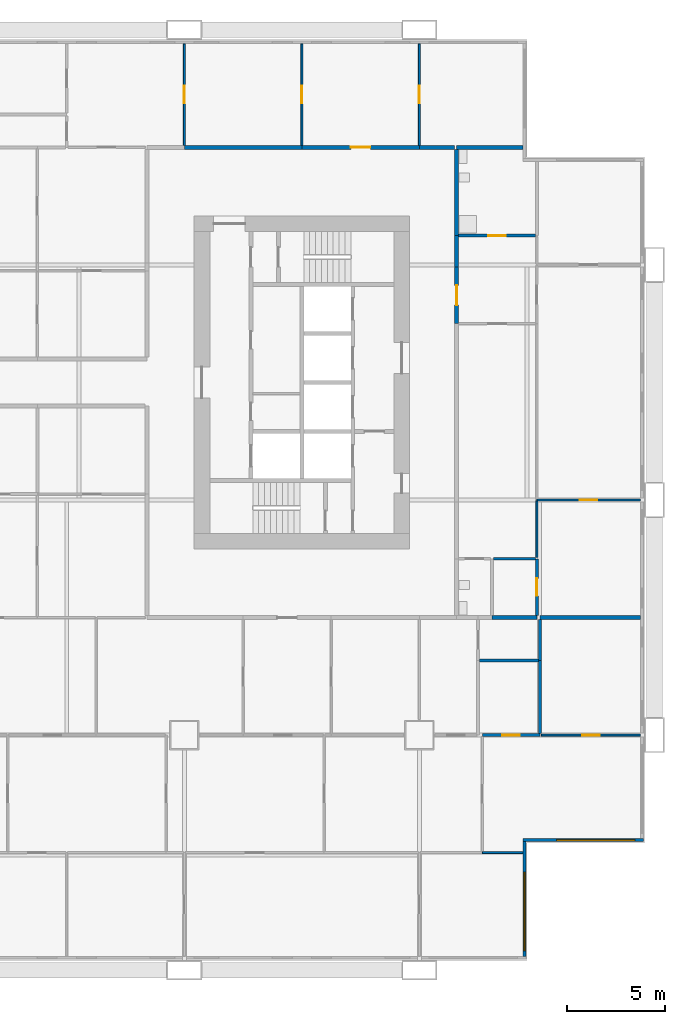
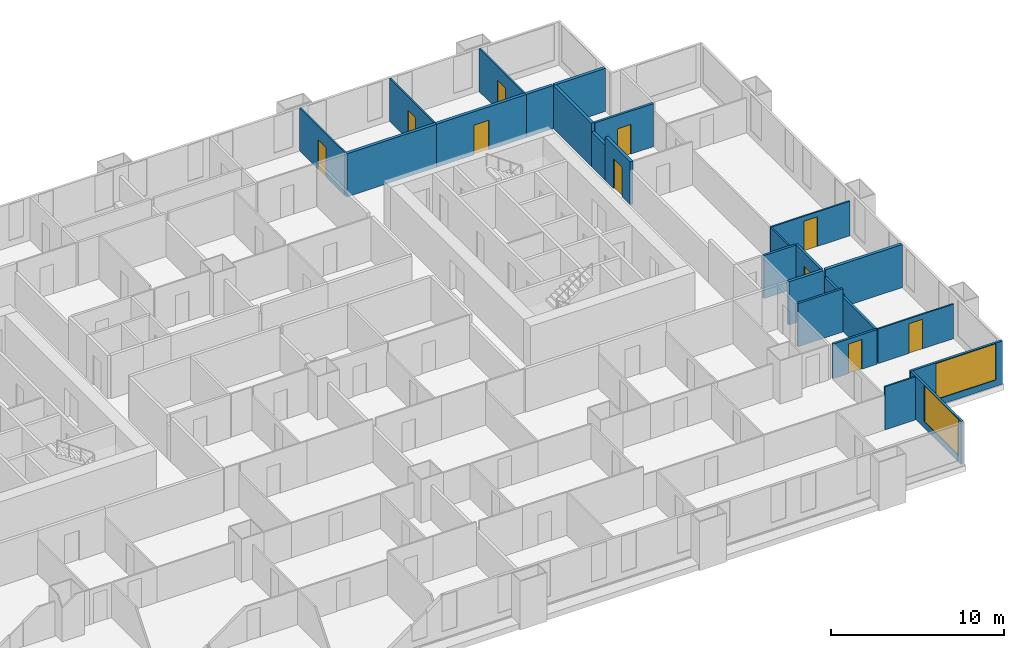
# One storey, part 11 of 14: 25 walls, 10 doors, 2 windows, 12 openings.
"""IFC4 building model written with IfcOpenShell, lengths in metres."""

from ifc_helpers import new_model, si_unit, direction, frame, frame_2d, origin, place, context, subcontext, project, spatial, rectangle, extrude, material, layer, layer_set, type_object, element, fill, save


model = new_model("IFC4")

# Units and contexts
model_context = context("Model", 3, precision=1e-05, world=origin(), true_north=direction((0.0, 1.0)))
body_context = subcontext(model_context, "Body", "Model", "MODEL_VIEW")
ifc_project = project(units=[si_unit("LENGTHUNIT", "METRE"), si_unit("AREAUNIT", "SQUARE_METRE"), si_unit("VOLUMEUNIT", "CUBIC_METRE"), si_unit("PLANEANGLEUNIT", "RADIAN"), si_unit("MASSUNIT", "GRAM", prefix="KILO")], contexts=[model_context])

# Site, building, storey
site_placement = place(None, origin())
site = spatial("IfcSite", under=ifc_project, at=site_placement, CompositionType="ELEMENT")
building_placement = place(site_placement, origin())
building = spatial("IfcBuilding", under=site, at=building_placement, Name="Kitamizu Gate Tower and Museum", CompositionType="ELEMENT")
storey_placement = place(building_placement, frame((0.0, 0.0, 33.449951171875)))
storey = spatial("IfcBuildingStorey", under=building, at=storey_placement, Name="L06", CompositionType="ELEMENT", Elevation=33.449951171875)

# Wall
ifc_material_1 = material(Name="Gypsum board on galvanised stud")
ifc_layer_1 = layer(ifc_material_1, 0.10009765625)
ifc_layer_set_1 = layer_set([ifc_layer_1], Name="Gypsum board on galvanised stud")
wall_type_1 = type_object("IfcWallType", Name="Partition 100 NOT RATED", PredefinedType="PARTITIONING", material=ifc_layer_set_1)
wall_1_placement = place(storey_placement, frame((65.280029296875, 6.0, 0.0), z_axis=(0.0, 0.0, 1.0), x_axis=(-1.0, 0.0, 0.0)))
element("IfcWall", 1, at=wall_1_placement, inside=storey, type_object=wall_type_1, Name="Partition L06-083", PredefinedType="PARTITIONING", context=body_context, shape_type="SweptSolid", body=[
    extrude(rectangle(XDim=2.070068359375, YDim=0.10009765625, at=frame_2d((1.03515625, 0.0))), origin(), (0.0, 0.0, 1.0), 3.050048828125),
])

# Wall, opening, door
wall_2_placement = place(storey_placement, frame((71.280029296875, 12.0, 0.0), z_axis=(0.0, 0.0, 1.0), x_axis=(-1.0, 0.0, 0.0)))
wall_2 = element("IfcWall", 2, at=wall_2_placement, inside=storey, type_object=wall_type_1, Name="Partition L06-096", PredefinedType="PARTITIONING", context=body_context, shape_type="SweptSolid", body=[
    extrude(rectangle(XDim=5.05908203125, YDim=0.10009765625, at=frame_2d((2.529541015625, 0.0))), origin(), (0.0, 0.0, 1.0), 2.449951171875),
])
opening_1_placement = place(wall_2_placement, frame((2.07958984375, 0.0, 0.0)))
opening_1 = element("IfcOpeningElement", 3, at=opening_1_placement, cuts=wall_2, Name="Opening L06-041", PredefinedType="OPENING", context=body_context, shape_type="SweptSolid", body=[
    extrude(rectangle(XDim=0.89990234375, YDim=2.10009765625, at=frame_2d((0.449951171875, 1.050048828125))), frame((0.0, 0.06005859375, 0.0), z_axis=(0.0, -1.0, 0.0), x_axis=(1.0, 0.0, 0.0)), (0.0, 0.0, 1.0), 0.1201171875),
])
ifc_material_2 = material(Name="Timber door set", Category="wood")
door_type_1 = type_object("IfcDoorType", Name="Room door 900", OperationType="NOTDEFINED", PredefinedType="DOOR", material=ifc_material_2)
door_1_placement = place(opening_1_placement, frame((0.89990234375, 0.0, 0.0), x_axis=(-1.0, 0.0, 0.0)))
door_1 = element("IfcDoor", 4, at=door_1_placement, inside=storey, type_object=door_type_1, Name="Door L06-041", OperationType="SINGLE_SWING_RIGHT", OverallHeight=2.10009765625, OverallWidth=0.89990234375, PredefinedType="DOOR", context=body_context, shape_type="SweptSolid", body=[
    extrude(rectangle(XDim=0.89990234375, YDim=2.10009765625, at=frame_2d((0.449951171875, 1.050048828125))), frame((0.0, 0.02490234375, 0.0), z_axis=(0.0, -1.0, 0.0), x_axis=(1.0, 0.0, 0.0)), (0.0, 0.0, 1.0), 0.050048828125),
])
fill(opening_1, door_1)

wall_3_placement = place(storey_placement, frame((71.280029296875, 24.0, 0.0), z_axis=(0.0, 0.0, 1.0), x_axis=(-1.0, 0.0, 0.0)))
wall_3 = element("IfcWall", 5, at=wall_3_placement, inside=storey, type_object=wall_type_1, Name="Partition L06-126", PredefinedType="PARTITIONING", context=body_context, shape_type="SweptSolid", body=[
    extrude(rectangle(XDim=5.280029296875, YDim=0.10009765625, at=frame_2d((2.64013671875, 0.0))), origin(), (0.0, 0.0, 1.0), 2.449951171875),
])
opening_2_placement = place(wall_3_placement, frame((2.18994140625, 0.0, 0.0)))
opening_2 = element("IfcOpeningElement", 6, at=opening_2_placement, cuts=wall_3, Name="Opening L06-051", PredefinedType="OPENING", context=body_context, shape_type="SweptSolid", body=[
    extrude(rectangle(XDim=0.89990234375, YDim=2.10009765625, at=frame_2d((0.449951171875, 1.050048828125))), frame((0.0, 0.06005859375, 0.0), z_axis=(0.0, -1.0, 0.0), x_axis=(1.0, 0.0, 0.0)), (0.0, 0.0, 1.0), 0.1201171875),
])
door_2_placement = place(opening_2_placement, origin())
door_2 = element("IfcDoor", 7, at=door_2_placement, inside=storey, type_object=door_type_1, Name="Door L06-051", OperationType="SINGLE_SWING_LEFT", OverallHeight=2.10009765625, OverallWidth=0.89990234375, PredefinedType="DOOR", context=body_context, shape_type="SweptSolid", body=[
    extrude(rectangle(XDim=0.89990234375, YDim=2.10009765625, at=frame_2d((0.449951171875, 1.050048828125))), frame((0.0, 0.02490234375, 0.0), z_axis=(0.0, -1.0, 0.0), x_axis=(1.0, 0.0, 0.0)), (0.0, 0.0, 1.0), 0.050048828125),
])
fill(opening_2, door_2)

# Wall
wall_4_placement = place(storey_placement, frame((66.0, 23.949951171875, 0.0), z_axis=(0.0, 0.0, 1.0), x_axis=(0.0, -1.0, 0.0)))
element("IfcWall", 8, at=wall_4_placement, inside=storey, type_object=wall_type_1, Name="Partition L06-128", PredefinedType="PARTITIONING", context=body_context, shape_type="SweptSolid", body=[
    extrude(rectangle(XDim=2.875, YDim=0.10009765625, at=frame_2d((1.4375, 0.0))), origin(), (0.0, 0.0, 1.0), 2.449951171875),
])

# Wall, opening, door
wall_5_placement = place(storey_placement, frame((48.0, 42.10009765625, 0.0), z_axis=(0.0, 0.0, 1.0), x_axis=(0.0, 1.0, 0.0)))
wall_5 = element("IfcWall", 9, at=wall_5_placement, inside=storey, type_object=wall_type_1, Name="Partition L06-184", PredefinedType="PARTITIONING", context=body_context, shape_type="SweptSolid", body=[
    extrude(rectangle(XDim=5.179931640625, YDim=0.10009765625, at=frame_2d((2.58984375, 0.0))), origin(), (0.0, 0.0, 1.0), 3.050048828125),
])
opening_3_placement = place(wall_5_placement, frame((2.139892578125, 0.0, 0.0)))
opening_3 = element("IfcOpeningElement", 10, at=opening_3_placement, cuts=wall_5, Name="Opening L06-071", PredefinedType="OPENING", context=body_context, shape_type="SweptSolid", body=[
    extrude(rectangle(XDim=0.89990234375, YDim=2.10009765625, at=frame_2d((0.449951171875, 1.050048828125))), frame((0.0, 0.06005859375, 0.0), z_axis=(0.0, -1.0, 0.0), x_axis=(1.0, 0.0, 0.0)), (0.0, 0.0, 1.0), 0.1201171875),
])
door_3_placement = place(opening_3_placement, origin())
door_3 = element("IfcDoor", 11, at=door_3_placement, inside=storey, type_object=door_type_1, Name="Door L06-071", OperationType="SINGLE_SWING_RIGHT", OverallHeight=2.10009765625, OverallWidth=0.89990234375, PredefinedType="DOOR", context=body_context, shape_type="SweptSolid", body=[
    extrude(rectangle(XDim=0.89990234375, YDim=2.10009765625, at=frame_2d((0.449951171875, 1.050048828125))), frame((0.0, 0.02490234375, 0.0), z_axis=(0.0, -1.0, 0.0), x_axis=(1.0, 0.0, 0.0)), (0.0, 0.0, 1.0), 0.050048828125),
])
fill(opening_3, door_3)

wall_6_placement = place(storey_placement, frame((54.0, 42.10009765625, 0.0), z_axis=(0.0, 0.0, 1.0), x_axis=(0.0, 1.0, 0.0)))
wall_6 = element("IfcWall", 12, at=wall_6_placement, inside=storey, type_object=wall_type_1, Name="Partition L06-187", PredefinedType="PARTITIONING", context=body_context, shape_type="SweptSolid", body=[
    extrude(rectangle(XDim=5.179931640625, YDim=0.10009765625, at=frame_2d((2.58984375, 0.0))), origin(), (0.0, 0.0, 1.0), 3.050048828125),
])
opening_4_placement = place(wall_6_placement, frame((2.139892578125, 0.0, 0.0)))
opening_4 = element("IfcOpeningElement", 13, at=opening_4_placement, cuts=wall_6, Name="Opening L06-070", PredefinedType="OPENING", context=body_context, shape_type="SweptSolid", body=[
    extrude(rectangle(XDim=0.89990234375, YDim=2.10009765625, at=frame_2d((0.449951171875, 1.050048828125))), frame((0.0, 0.06005859375, 0.0), z_axis=(0.0, -1.0, 0.0), x_axis=(1.0, 0.0, 0.0)), (0.0, 0.0, 1.0), 0.1201171875),
])
door_4_placement = place(opening_4_placement, origin())
door_4 = element("IfcDoor", 14, at=door_4_placement, inside=storey, type_object=door_type_1, Name="Door L06-070", OperationType="SINGLE_SWING_LEFT", OverallHeight=2.10009765625, OverallWidth=0.89990234375, PredefinedType="DOOR", context=body_context, shape_type="SweptSolid", body=[
    extrude(rectangle(XDim=0.89990234375, YDim=2.10009765625, at=frame_2d((0.449951171875, 1.050048828125))), frame((0.0, 0.02490234375, 0.0), z_axis=(0.0, -1.0, 0.0), x_axis=(1.0, 0.0, 0.0)), (0.0, 0.0, 1.0), 0.050048828125),
])
fill(opening_4, door_4)

wall_7_placement = place(storey_placement, frame((60.0, 42.10009765625, 0.0), z_axis=(0.0, 0.0, 1.0), x_axis=(0.0, 1.0, 0.0)))
wall_7 = element("IfcWall", 15, at=wall_7_placement, inside=storey, type_object=wall_type_1, Name="Partition L06-189", PredefinedType="PARTITIONING", context=body_context, shape_type="SweptSolid", body=[
    extrude(rectangle(XDim=5.179931640625, YDim=0.10009765625, at=frame_2d((2.58984375, 0.0))), origin(), (0.0, 0.0, 1.0), 3.050048828125),
])
opening_5_placement = place(wall_7_placement, frame((2.139892578125, 0.0, 0.0)))
opening_5 = element("IfcOpeningElement", 16, at=opening_5_placement, cuts=wall_7, Name="Opening L06-069", PredefinedType="OPENING", context=body_context, shape_type="SweptSolid", body=[
    extrude(rectangle(XDim=0.89990234375, YDim=2.10009765625, at=frame_2d((0.449951171875, 1.050048828125))), frame((0.0, 0.06005859375, 0.0), z_axis=(0.0, -1.0, 0.0), x_axis=(1.0, 0.0, 0.0)), (0.0, 0.0, 1.0), 0.1201171875),
])
door_5_placement = place(opening_5_placement, frame((0.89990234375, 0.0, 0.0), x_axis=(-1.0, 0.0, 0.0)))
door_5 = element("IfcDoor", 17, at=door_5_placement, inside=storey, type_object=door_type_1, Name="Door L06-069", OperationType="SINGLE_SWING_LEFT", OverallHeight=2.10009765625, OverallWidth=0.89990234375, PredefinedType="DOOR", context=body_context, shape_type="SweptSolid", body=[
    extrude(rectangle(XDim=0.89990234375, YDim=2.10009765625, at=frame_2d((0.449951171875, 1.050048828125))), frame((0.0, 0.02490234375, 0.0), z_axis=(0.0, -1.0, 0.0), x_axis=(1.0, 0.0, 0.0)), (0.0, 0.0, 1.0), 0.050048828125),
])
fill(opening_5, door_5)

ifc_material_3 = material(Name="Gypsum board on galvanised stud")
ifc_layer_2 = layer(ifc_material_3, 0.14990234375)
ifc_layer_set_2 = layer_set([ifc_layer_2], Name="Gypsum board on galvanised stud")
wall_type_2 = type_object("IfcWallType", Name="Partition 150", PredefinedType="PARTITIONING", material=ifc_layer_set_2)
wall_8_placement = place(storey_placement, frame((66.14599609375, 12.0, 0.0), z_axis=(0.0, 0.0, 1.0), x_axis=(-1.0, 0.0, 0.0)))
wall_8 = element("IfcWall", 18, at=wall_8_placement, inside=storey, type_object=wall_type_2, Name="Partition L06-097", PredefinedType="PARTITIONING", context=body_context, shape_type="SweptSolid", body=[
    extrude(rectangle(XDim=2.93603515625, YDim=0.14990234375, at=frame_2d((1.468017578125, 0.0))), origin(), (0.0, 0.0, 1.0), 2.449951171875),
])
opening_6_placement = place(wall_8_placement, frame((1.01806640625, 0.0, 0.0)))
opening_6 = element("IfcOpeningElement", 19, at=opening_6_placement, cuts=wall_8, Name="Opening L06-042", PredefinedType="OPENING", context=body_context, shape_type="SweptSolid", body=[
    extrude(rectangle(XDim=0.89990234375, YDim=2.10009765625, at=frame_2d((0.449951171875, 1.050048828125))), frame((0.0, 0.0849609375, 0.0), z_axis=(0.0, -1.0, 0.0), x_axis=(1.0, 0.0, 0.0)), (0.0, 0.0, 1.0), 0.169921875),
])
ifc_material_4 = material(Name="Timber door set", Category="wood")
door_type_2 = type_object("IfcDoorType", Name="Bathroom door 900", OperationType="NOTDEFINED", PredefinedType="DOOR", material=ifc_material_4)
door_6_placement = place(opening_6_placement, frame((0.89990234375, 0.0, 0.0), x_axis=(-1.0, 0.0, 0.0)))
door_6 = element("IfcDoor", 20, at=door_6_placement, inside=storey, type_object=door_type_2, Name="Bathroom door L06-042", OperationType="SINGLE_SWING_LEFT", OverallHeight=2.10009765625, OverallWidth=0.89990234375, PredefinedType="DOOR", context=body_context, shape_type="SweptSolid", body=[
    extrude(rectangle(XDim=0.89990234375, YDim=2.10009765625, at=frame_2d((0.449951171875, 1.050048828125))), frame((0.0, 0.02490234375, 0.0), z_axis=(0.0, -1.0, 0.0), x_axis=(1.0, 0.0, 0.0)), (0.0, 0.0, 1.0), 0.050048828125),
])
fill(opening_6, door_6)

# Walls
wall_9_placement = place(storey_placement, frame((66.14599609375, 15.81396484375, 0.0), z_axis=(0.0, 0.0, 1.0), x_axis=(0.0, -1.0, 0.0)))
element("IfcWall", 21, at=wall_9_placement, inside=storey, type_object=wall_type_2, Name="Partition L06-112", PredefinedType="PARTITIONING", context=body_context, shape_type="SweptSolid", body=[
    extrude(rectangle(XDim=3.739013671875, YDim=0.14990234375, at=frame_2d((1.86962890625, 0.0))), origin(), (0.0, 0.0, 1.0), 2.449951171875),
])
wall_10_placement = place(storey_placement, frame((66.14599609375, 17.89990234375, 0.0), z_axis=(0.0, 0.0, 1.0), x_axis=(0.0, -1.0, 0.0)))
element("IfcWall", 22, at=wall_10_placement, inside=storey, type_object=wall_type_2, Name="Partition L06-113", PredefinedType="PARTITIONING", context=body_context, shape_type="SweptSolid", body=[
    extrude(rectangle(XDim=2.0859375, YDim=0.14990234375, at=frame_2d((1.04296875, 0.0))), origin(), (0.0, 0.0, 1.0), 2.550048828125),
])
wall_11_placement = place(storey_placement, frame((66.071044921875, 15.81396484375, 0.0), z_axis=(0.0, 0.0, 1.0), x_axis=(-1.0, 0.0, 0.0)))
element("IfcWall", 23, at=wall_11_placement, inside=storey, type_object=wall_type_2, Name="Partition L06-115", PredefinedType="PARTITIONING", context=body_context, shape_type="SweptSolid", body=[
    extrude(rectangle(XDim=2.99609375, YDim=0.14990234375, at=frame_2d((1.498046875, 0.0))), origin(), (0.0, 0.0, 1.0), 3.050048828125),
])

# Wall, opening, door
wall_12_placement = place(storey_placement, frame((66.0, 21.0, 0.0), z_axis=(0.0, 0.0, 1.0), x_axis=(0.0, -1.0, 0.0)))
wall_12 = element("IfcWall", 24, at=wall_12_placement, inside=storey, type_object=wall_type_2, Name="Partition L06-127", PredefinedType="PARTITIONING", context=body_context, shape_type="SweptSolid", body=[
    extrude(rectangle(XDim=2.89990234375, YDim=0.14990234375, at=frame_2d((1.449951171875, 0.0))), origin(), (0.0, 0.0, 1.0), 3.050048828125),
])
opening_7_placement = place(wall_12_placement, frame((1.0, 0.0, 0.0)))
opening_7 = element("IfcOpeningElement", 25, at=opening_7_placement, cuts=wall_12, Name="Opening L06-055", PredefinedType="OPENING", context=body_context, shape_type="SweptSolid", body=[
    extrude(rectangle(XDim=0.89990234375, YDim=2.10009765625, at=frame_2d((0.449951171875, 1.050048828125))), frame((0.0, 0.0849609375, 0.0), z_axis=(0.0, -1.0, 0.0), x_axis=(1.0, 0.0, 0.0)), (0.0, 0.0, 1.0), 0.169921875),
])
door_7_placement = place(opening_7_placement, frame((0.89990234375, 0.0, 0.0), x_axis=(-1.0, 0.0, 0.0)))
door_7 = element("IfcDoor", 26, at=door_7_placement, inside=storey, type_object=door_type_2, Name="Bathroom door L06-055", OperationType="SINGLE_SWING_RIGHT", OverallHeight=2.10009765625, OverallWidth=0.89990234375, PredefinedType="DOOR", context=body_context, shape_type="SweptSolid", body=[
    extrude(rectangle(XDim=0.89990234375, YDim=2.10009765625, at=frame_2d((0.449951171875, 1.050048828125))), frame((0.0, 0.02490234375, 0.0), z_axis=(0.0, -1.0, 0.0), x_axis=(1.0, 0.0, 0.0)), (0.0, 0.0, 1.0), 0.050048828125),
])
fill(opening_7, door_7)

# Wall
wall_13_placement = place(storey_placement, frame((65.925048828125, 21.0, 0.0), z_axis=(0.0, 0.0, 1.0), x_axis=(-1.0, 0.0, 0.0)))
element("IfcWall", 27, at=wall_13_placement, inside=storey, type_object=wall_type_2, Name="Partition L06-137", PredefinedType="PARTITIONING", context=body_context, shape_type="SweptSolid", body=[
    extrude(rectangle(XDim=2.150146484375, YDim=0.14990234375, at=frame_2d((1.0751953125, 0.0))), origin(), (0.0, 0.0, 1.0), 3.050048828125),
])

# Wall, opening, door
wall_14_placement = place(storey_placement, frame((65.925048828125, 37.5, 0.0), z_axis=(0.0, 0.0, 1.0), x_axis=(-1.0, 0.0, 0.0)))
wall_14 = element("IfcWall", 28, at=wall_14_placement, inside=storey, type_object=wall_type_2, Name="Partition L06-141", PredefinedType="PARTITIONING", context=body_context, shape_type="SweptSolid", body=[
    extrude(rectangle(XDim=3.925048828125, YDim=0.14990234375, at=frame_2d((1.96240234375, 0.0))), origin(), (0.0, 0.0, 1.0), 3.050048828125),
])
opening_8_placement = place(wall_14_placement, frame((1.512451171875, 0.0, 0.0)))
opening_8 = element("IfcOpeningElement", 29, at=opening_8_placement, cuts=wall_14, Name="Opening L06-052", PredefinedType="OPENING", context=body_context, shape_type="SweptSolid", body=[
    extrude(rectangle(XDim=0.89990234375, YDim=2.10009765625, at=frame_2d((0.449951171875, 1.050048828125))), frame((0.0, 0.0849609375, 0.0), z_axis=(0.0, -1.0, 0.0), x_axis=(1.0, 0.0, 0.0)), (0.0, 0.0, 1.0), 0.169921875),
])
door_8_placement = place(opening_8_placement, frame((0.89990234375, 0.0, 0.0), x_axis=(-1.0, 0.0, 0.0)))
door_8 = element("IfcDoor", 30, at=door_8_placement, inside=storey, type_object=door_type_2, Name="Bathroom door L06-052", OperationType="SINGLE_SWING_LEFT", OverallHeight=2.10009765625, OverallWidth=0.89990234375, PredefinedType="DOOR", context=body_context, shape_type="SweptSolid", body=[
    extrude(rectangle(XDim=0.89990234375, YDim=2.10009765625, at=frame_2d((0.449951171875, 1.050048828125))), frame((0.0, 0.02490234375, 0.0), z_axis=(0.0, -1.0, 0.0), x_axis=(1.0, 0.0, 0.0)), (0.0, 0.0, 1.0), 0.050048828125),
])
fill(opening_8, door_8)

# Walls
ifc_material_5 = material(Name="Gypsum board on galvanised stud")
ifc_layer_3 = layer(ifc_material_5, 0.199951171875)
ifc_layer_set_3 = layer_set([ifc_layer_3], Name="Gypsum board on galvanised stud")
wall_type_3 = type_object("IfcWallType", Name="Partition 200", PredefinedType="PARTITIONING", material=ifc_layer_set_3)
wall_15_placement = place(storey_placement, frame((71.280029296875, 18.0, 0.0), z_axis=(0.0, 0.0, 1.0), x_axis=(-1.0, 0.0, 0.0)))
element("IfcWall", 31, at=wall_15_placement, inside=storey, type_object=wall_type_3, Name="Partition L06-114", PredefinedType="PARTITIONING", context=body_context, shape_type="SweptSolid", body=[
    extrude(rectangle(XDim=5.134033203125, YDim=0.199951171875, at=frame_2d((2.56689453125, 0.0))), origin(), (0.0, 0.0, 1.0), 3.050048828125),
])
wall_16_placement = place(storey_placement, frame((66.0, 18.0, 0.0), z_axis=(0.0, 0.0, 1.0), x_axis=(-1.0, 0.0, 0.0)))
element("IfcWall", 32, at=wall_16_placement, inside=storey, type_object=wall_type_3, Name="Partition L06-117", PredefinedType="PARTITIONING", context=body_context, shape_type="SweptSolid", body=[
    extrude(rectangle(XDim=2.300048828125, YDim=0.199951171875, at=frame_2d((1.14990234375, 0.0))), origin(), (0.0, 0.0, 1.0), 3.050048828125),
])
wall_17_placement = place(storey_placement, frame((61.89990234375, 37.5, 0.0), z_axis=(0.0, 0.0, 1.0), x_axis=(0.0, -1.0, 0.0)))
element("IfcWall", 33, at=wall_17_placement, inside=storey, type_object=wall_type_3, Name="Partition L06-142", PredefinedType="PARTITIONING", context=body_context, shape_type="SweptSolid", body=[
    extrude(rectangle(XDim=1.60009765625, YDim=0.199951171875, at=frame_2d((0.800048828125, 0.0))), origin(), (0.0, 0.0, 1.0), 2.449951171875),
])

# Wall, opening, door
wall_18_placement = place(storey_placement, frame((61.89990234375, 35.89990234375, 0.0), z_axis=(0.0, 0.0, 1.0), x_axis=(0.0, -1.0, 0.0)))
wall_18 = element("IfcWall", 34, at=wall_18_placement, inside=storey, type_object=wall_type_3, Name="Partition L06-143", PredefinedType="PARTITIONING", context=body_context, shape_type="SweptSolid", body=[
    extrude(rectangle(XDim=2.89990234375, YDim=0.199951171875, at=frame_2d((1.449951171875, 0.0))), origin(), (0.0, 0.0, 1.0), 3.050048828125),
])
opening_9_placement = place(wall_18_placement, frame((0.949951171875, 0.0, 0.0)))
opening_9 = element("IfcOpeningElement", 35, at=opening_9_placement, cuts=wall_18, Name="Opening L06-048", PredefinedType="OPENING", context=body_context, shape_type="SweptSolid", body=[
    extrude(rectangle(XDim=1.0, YDim=2.10009765625, at=frame_2d((0.5, 1.050048828125))), frame((0.0, 0.10986328125, 0.0), z_axis=(0.0, -1.0, 0.0), x_axis=(1.0, 0.0, 0.0)), (0.0, 0.0, 1.0), 0.219970703125),
])
ifc_material_6 = material(Name="Timber door set", Category="wood")
door_type_3 = type_object("IfcDoorType", Name="Flat entrance door 1000", OperationType="NOTDEFINED", PredefinedType="DOOR", material=ifc_material_6)
door_9_placement = place(opening_9_placement, origin())
door_9 = element("IfcDoor", 36, at=door_9_placement, inside=storey, type_object=door_type_3, Name="Flat entrance door L06-048", OperationType="SINGLE_SWING_LEFT", OverallHeight=2.10009765625, OverallWidth=1.0, PredefinedType="DOOR", context=body_context, shape_type="SweptSolid", body=[
    extrude(rectangle(XDim=1.0, YDim=2.10009765625, at=frame_2d((0.5, 1.050048828125))), frame((0.0, 0.02490234375, 0.0), z_axis=(0.0, -1.0, 0.0), x_axis=(1.0, 0.0, 0.0)), (0.0, 0.0, 1.0), 0.050048828125),
])
fill(opening_9, door_9)

# Walls
wall_19_placement = place(storey_placement, frame((65.280029296875, 42.0, 0.0), z_axis=(0.0, 0.0, 1.0), x_axis=(-1.0, 0.0, 0.0)))
element("IfcWall", 37, at=wall_19_placement, inside=storey, type_object=wall_type_3, Name="Partition L06-144", PredefinedType="PARTITIONING", context=body_context, shape_type="SweptSolid", body=[
    extrude(rectangle(XDim=3.380126953125, YDim=0.199951171875, at=frame_2d((1.68994140625, 0.0))), origin(), (0.0, 0.0, 1.0), 3.050048828125),
])
wall_20_placement = place(storey_placement, frame((61.89990234375, 41.89990234375, 0.0), z_axis=(0.0, 0.0, 1.0), x_axis=(0.0, -1.0, 0.0)))
element("IfcWall", 38, at=wall_20_placement, inside=storey, type_object=wall_type_3, Name="Partition L06-145", PredefinedType="PARTITIONING", context=body_context, shape_type="SweptSolid", body=[
    extrude(rectangle(XDim=4.39990234375, YDim=0.199951171875, at=frame_2d((2.199951171875, 0.0))), origin(), (0.0, 0.0, 1.0), 3.050048828125),
])
wall_21_placement = place(storey_placement, frame((48.0, 42.0, 0.0), z_axis=(0.0, 0.0, 1.0), x_axis=(1.0, 0.0, 0.0)))
element("IfcWall", 39, at=wall_21_placement, inside=storey, type_object=wall_type_3, Name="Partition L06-188", PredefinedType="PARTITIONING", context=body_context, shape_type="SweptSolid", body=[
    extrude(rectangle(XDim=6.0, YDim=0.199951171875, at=frame_2d((3.0, 0.0))), origin(), (0.0, 0.0, 1.0), 3.050048828125),
])

# Wall, opening, door
wall_22_placement = place(storey_placement, frame((54.0, 42.0, 0.0), z_axis=(0.0, 0.0, 1.0), x_axis=(1.0, 0.0, 0.0)))
wall_22 = element("IfcWall", 40, at=wall_22_placement, inside=storey, type_object=wall_type_3, Name="Partition L06-190", PredefinedType="PARTITIONING", context=body_context, shape_type="SweptSolid", body=[
    extrude(rectangle(XDim=6.0, YDim=0.199951171875, at=frame_2d((3.0, 0.0))), origin(), (0.0, 0.0, 1.0), 3.050048828125),
])
opening_10_placement = place(wall_22_placement, frame((2.5, 0.0, 0.0)))
opening_10 = element("IfcOpeningElement", 41, at=opening_10_placement, cuts=wall_22, Name="Opening L06-068", PredefinedType="OPENING", context=body_context, shape_type="SweptSolid", body=[
    extrude(rectangle(XDim=1.0, YDim=2.10009765625, at=frame_2d((0.5, 1.050048828125))), frame((0.0, 0.10986328125, 0.0), z_axis=(0.0, -1.0, 0.0), x_axis=(1.0, 0.0, 0.0)), (0.0, 0.0, 1.0), 0.219970703125),
])
door_10_placement = place(opening_10_placement, origin())
door_10 = element("IfcDoor", 42, at=door_10_placement, inside=storey, type_object=door_type_3, Name="Flat entrance door L06-068", OperationType="SINGLE_SWING_LEFT", OverallHeight=2.10009765625, OverallWidth=1.0, PredefinedType="DOOR", context=body_context, shape_type="SweptSolid", body=[
    extrude(rectangle(XDim=1.0, YDim=2.10009765625, at=frame_2d((0.5, 1.050048828125))), frame((0.0, 0.02490234375, 0.0), z_axis=(0.0, -1.0, 0.0), x_axis=(1.0, 0.0, 0.0)), (0.0, 0.0, 1.0), 0.050048828125),
])
fill(opening_10, door_10)

# Wall
wall_23_placement = place(storey_placement, frame((60.0, 42.0, 0.0), z_axis=(0.0, 0.0, 1.0), x_axis=(1.0, 0.0, 0.0)))
element("IfcWall", 43, at=wall_23_placement, inside=storey, type_object=wall_type_3, Name="Partition L06-191", PredefinedType="PARTITIONING", context=body_context, shape_type="SweptSolid", body=[
    extrude(rectangle(XDim=1.800048828125, YDim=0.199951171875, at=frame_2d((0.89990234375, 0.0))), origin(), (0.0, 0.0, 1.0), 3.050048828125),
])

# Wall, opening, window
ifc_material_7 = material(Name="Bronze anodised aluminium frame with insulated spandrel and tinted glass", Category="aluminium")
ifc_layer_4 = layer(ifc_material_7, 0.14990234375)
ifc_layer_set_4 = layer_set([ifc_layer_4], Name="Bronze anodised aluminium frame with insulated spandrel and tinted glass")
wall_type_4 = type_object("IfcWallType", Name="WINDOW WALL 150 BRONZE FRAME EI 30", PredefinedType="ELEMENTEDWALL", material=ifc_layer_set_4)
wall_24_placement = place(storey_placement, frame((65.364990234375, 0.7099609375, 0.0), z_axis=(0.0, 0.0, 1.0), x_axis=(0.0, 1.0, 0.0)))
wall_24 = element("IfcWall", 44, at=wall_24_placement, inside=storey, type_object=wall_type_4, Name="Window wall east L06", PredefinedType="ELEMENTEDWALL", context=body_context, shape_type="SweptSolid", body=[
    extrude(rectangle(XDim=5.85009765625, YDim=0.14990234375, at=frame_2d((2.925048828125, 0.0))), origin(), (0.0, 0.0, 1.0), 3.050048828125),
])
opening_11_placement = place(wall_24_placement, frame((0.2900390625, 0.0, 0.449951171875)))
opening_11 = element("IfcOpeningElement", 45, at=opening_11_placement, cuts=wall_24, Name="Opening W16", PredefinedType="OPENING", context=body_context, shape_type="SweptSolid", body=[
    extrude(rectangle(XDim=4.0, YDim=2.550048828125, at=frame_2d((2.0, 1.27490234375))), frame((0.0, 0.0849609375, 0.0), z_axis=(0.0, -1.0, 0.0), x_axis=(1.0, 0.0, 0.0)), (0.0, 0.0, 1.0), 0.169921875),
])
ifc_material_8 = material(Name="Bronze anodised aluminium frame, tinted triple glazing", Category="aluminium")
window_type = type_object("IfcWindowType", Name="WINDOW 4000 x 2550 SILL 450", PartitioningType="SINGLE_PANEL", PredefinedType="WINDOW", material=ifc_material_8)
window_1_placement = place(opening_11_placement, origin())
window_1 = element("IfcWindow", 46, at=window_1_placement, inside=storey, type_object=window_type, Name="Window W16 L06", OverallHeight=2.550048828125, OverallWidth=4.0, PartitioningType="SINGLE_PANEL", PredefinedType="WINDOW", context=body_context, shape_type="SweptSolid", body=[
    extrude(rectangle(XDim=4.0, YDim=2.550048828125, at=frame_2d((2.0, 1.27490234375))), frame((0.0, 0.030029296875, 0.0), z_axis=(0.0, -1.0, 0.0), x_axis=(1.0, 0.0, 0.0)), (0.0, 0.0, 1.0), 0.06005859375),
])
fill(opening_11, window_1)

wall_25_placement = place(storey_placement, frame((65.2900390625, 6.635009765625, 0.0), z_axis=(0.0, 0.0, 1.0), x_axis=(1.0, 0.0, 0.0)))
wall_25 = element("IfcWall", 47, at=wall_25_placement, inside=storey, type_object=wall_type_4, Name="Window wall south L06", PredefinedType="ELEMENTEDWALL", context=body_context, shape_type="SweptSolid", body=[
    extrude(rectangle(XDim=6.14990234375, YDim=0.14990234375, at=frame_2d((3.074951171875, 0.0))), origin(), (0.0, 0.0, 1.0), 3.050048828125),
])
opening_12_placement = place(wall_25_placement, frame((1.7099609375, 0.0, 0.449951171875)))
opening_12 = element("IfcOpeningElement", 48, at=opening_12_placement, cuts=wall_25, Name="Opening W16", PredefinedType="OPENING", context=body_context, shape_type="SweptSolid", body=[
    extrude(rectangle(XDim=4.0, YDim=2.550048828125, at=frame_2d((2.0, 1.27490234375))), frame((0.0, 0.0849609375, 0.0), z_axis=(0.0, -1.0, 0.0), x_axis=(1.0, 0.0, 0.0)), (0.0, 0.0, 1.0), 0.169921875),
])
window_2_placement = place(opening_12_placement, origin())
window_2 = element("IfcWindow", 49, at=window_2_placement, inside=storey, type_object=window_type, Name="Window W16 L06", OverallHeight=2.550048828125, OverallWidth=4.0, PartitioningType="SINGLE_PANEL", PredefinedType="WINDOW", context=body_context, shape_type="SweptSolid", body=[
    extrude(rectangle(XDim=4.0, YDim=2.550048828125, at=frame_2d((2.0, 1.27490234375))), frame((0.0, 0.030029296875, 0.0), z_axis=(0.0, -1.0, 0.0), x_axis=(1.0, 0.0, 0.0)), (0.0, 0.0, 1.0), 0.06005859375),
])
fill(opening_12, window_2)

save(model, "model.ifc")
